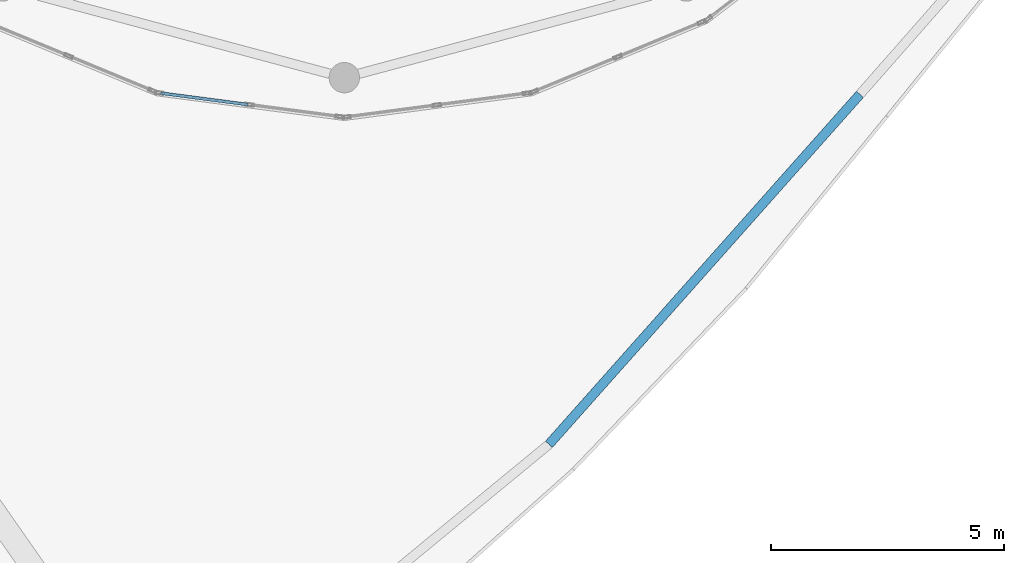
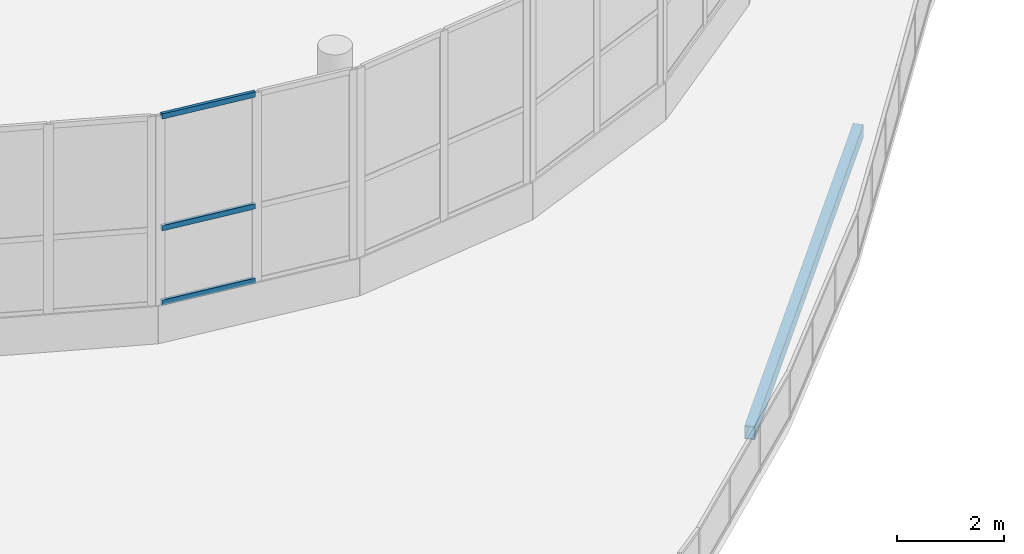
# One storey, part 6 of 101: 3 members, 1 beam, 1 element without a shape of its own.
"""IFC4 building model written with IfcOpenShell, lengths in metres."""

from ifc_helpers import new_model, si_unit, direction, frame, origin, origin_2d, place, context, subcontext, project, spatial, hollow_rectangle, extrude, material, material_profile, profile_set, type_object, element, aggregate, save


model = new_model("IFC4")

# Units and contexts
model_context = context("Model", 3, precision=1e-05, world=origin(), true_north=direction((0.0, 1.0)))
body_context = subcontext(model_context, "Body", "Model", "MODEL_VIEW")
ifc_project = project(units=[si_unit("LENGTHUNIT", "METRE"), si_unit("AREAUNIT", "SQUARE_METRE"), si_unit("VOLUMEUNIT", "CUBIC_METRE"), si_unit("PLANEANGLEUNIT", "RADIAN"), si_unit("MASSUNIT", "GRAM", prefix="KILO")], contexts=[model_context])

# Site, building, storey
site_placement = place(None, origin())
site = spatial("IfcSite", under=ifc_project, at=site_placement, CompositionType="ELEMENT")
building_placement = place(site_placement, origin())
building = spatial("IfcBuilding", under=site, at=building_placement, Name="Selatvlak General Hospital", CompositionType="ELEMENT")
storey_placement = place(building_placement, frame((0.0, 0.0, 19.199951171875)))
storey = spatial("IfcBuildingStorey", under=building, at=storey_placement, Name="L04", CompositionType="ELEMENT", Elevation=19.199951171875)

# Beam
ifc_material_1 = material(Name="Steel S355", Category="steel")
ifc_material_profile_1 = material_profile(ifc_material_1, hollow_rectangle(XDim=0.199951171875, YDim=0.300048828125, WallThickness=0.011962890625, at=origin_2d()), Name="RHS 300x200x12")
ifc_profile_set_1 = profile_set([ifc_material_profile_1], Name="Steel S355")
beam_type = type_object("IfcBeamType", Name="BM-SP3", PredefinedType="SPANDREL", material=ifc_profile_set_1)
beam_placement = place(storey_placement, frame((102.383056640625, 31.4970703125, -0.43994140625), z_axis=(0.664193048636, 0.747561097265, 0.0), x_axis=(-0.747561097265, 0.664193048636, 0.0)))
element("IfcBeam", 1, at=beam_placement, inside=storey, type_object=beam_type, Name="Beam BMR-L04-1845", PredefinedType="SPANDREL", context=body_context, shape_type="SweptSolid", body=[
    extrude(hollow_rectangle(XDim=0.199951171875, YDim=0.300048828125, WallThickness=0.011962890625, at=origin_2d()), origin(), (0.0, 0.0, 1.0), 10.027099609375),
])

# Curtain wall, members
ifc_material_2 = material(Name="Solar-control Low-E double glazing", Category="glass")
curtain_wall_type = type_object("IfcCurtainWallType", Name="CW-CW-04", PredefinedType="USERDEFINED", material=ifc_material_2)
curtain_wall_placement = place(storey_placement, origin())
curtain_wall = element("IfcCurtainWall", 2, at=curtain_wall_placement, inside=storey, type_object=curtain_wall_type, Name="Glazed facade curtain wall CW-L04-0525", ObjectType="STICK GLAZING WALL", PredefinedType="USERDEFINED")
ifc_material_3 = material(Name="Dark anodised aluminium mullion", Category="aluminium")
ifc_material_profile_2 = material_profile(ifc_material_3, hollow_rectangle(XDim=0.06494140625, YDim=0.1201171875, WallThickness=0.00390625, at=origin_2d()), Name="AL-TRN 65x120x4")
ifc_profile_set_2 = profile_set([ifc_material_profile_2], Name="Dark anodised aluminium mullion")
member_type = type_object("IfcMemberType", Name="CWT-01", PredefinedType="USERDEFINED", material=ifc_profile_set_2)
member_1_placement = place(storey_placement, frame((95.937744140625, 38.771728515625, 0.882568359375), z_axis=(-0.991462667241, 0.13039087187, 0.0), x_axis=(-0.13039087187, -0.991462667241, 0.0)))
member_1 = element("IfcMember", 3, at=member_1_placement, type_object=member_type, Name="CW-04 transom 2.1", ObjectType="TRANSOM", PredefinedType="USERDEFINED", context=body_context, shape_type="SweptSolid", body=[
    extrude(hollow_rectangle(XDim=0.06494140625, YDim=0.1201171875, WallThickness=0.00390625, at=origin_2d()), origin(), (0.0, 0.0, 1.0), 1.885498046875),
])
member_2_placement = place(storey_placement, frame((95.937744140625, 38.771728515625, 2.574951171875), z_axis=(-0.991462667241, 0.13039087187, 0.0), x_axis=(-0.13039087187, -0.991462667241, 0.0)))
member_2 = element("IfcMember", 4, at=member_2_placement, type_object=member_type, Name="CW-04 transom 2.2", ObjectType="TRANSOM", PredefinedType="USERDEFINED", context=body_context, shape_type="SweptSolid", body=[
    extrude(hollow_rectangle(XDim=0.06494140625, YDim=0.1201171875, WallThickness=0.00390625, at=origin_2d()), origin(), (0.0, 0.0, 1.0), 1.885498046875),
])
member_3_placement = place(storey_placement, frame((95.937744140625, 38.771728515625, 5.117431640625), z_axis=(-0.991462667241, 0.13039087187, 0.0), x_axis=(-0.13039087187, -0.991462667241, 0.0)))
member_3 = element("IfcMember", 5, at=member_3_placement, type_object=member_type, Name="CW-04 transom 2.3", ObjectType="TRANSOM", PredefinedType="USERDEFINED", context=body_context, shape_type="SweptSolid", body=[
    extrude(hollow_rectangle(XDim=0.06494140625, YDim=0.1201171875, WallThickness=0.00390625, at=origin_2d()), origin(), (0.0, 0.0, 1.0), 1.885498046875),
])
aggregate(curtain_wall, [member_1, member_2, member_3])

save(model, "model.ifc")
